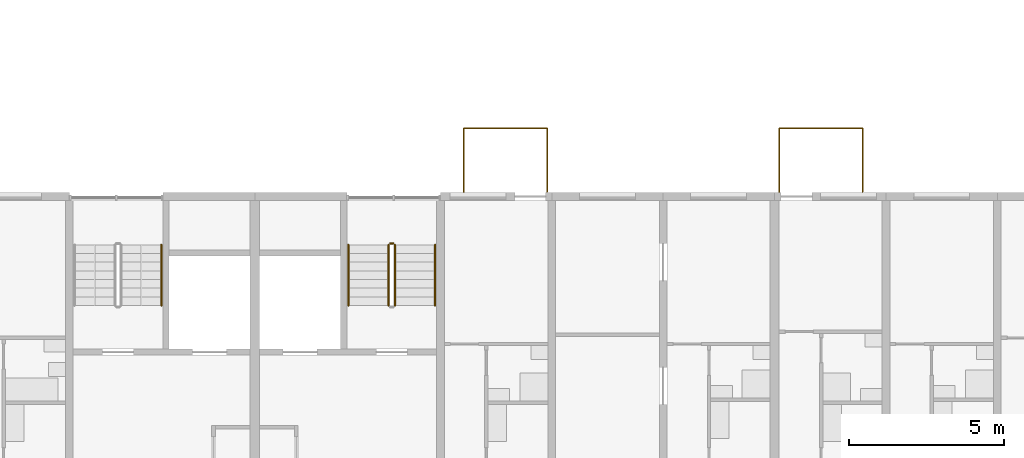
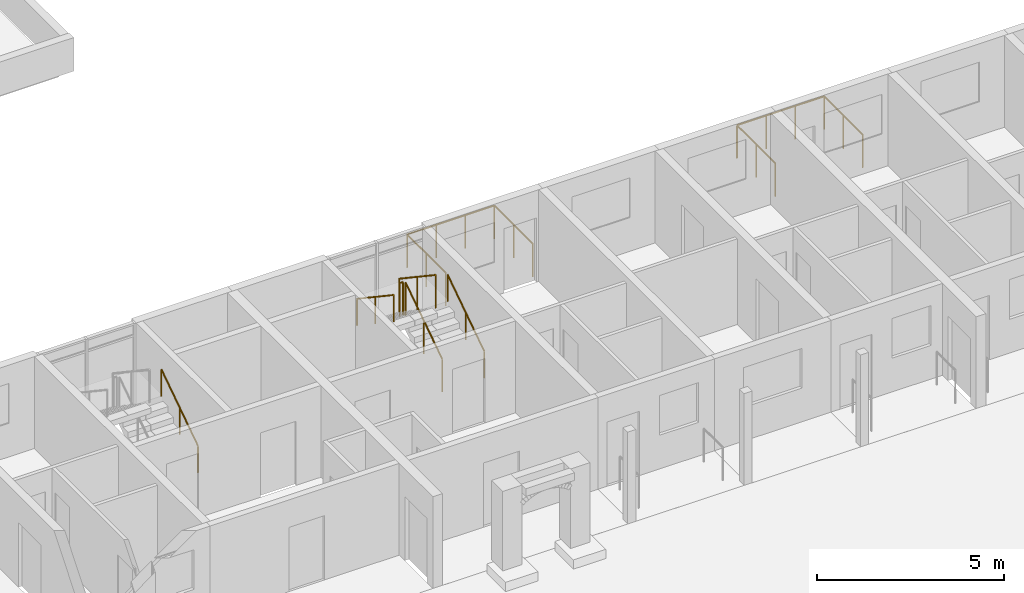
# One storey, part 105 of 115: 8 railings.
"""IFC4 building model written with IfcOpenShell, lengths in metres."""

from ifc_helpers import new_model, si_unit, direction, frame, origin, origin_2d, place, context, subcontext, project, spatial, circle, extrude, material, type_object, element, save


model = new_model("IFC4")

# Units and contexts
model_context = context("Model", 3, precision=1e-05, world=origin(), true_north=direction((0.0, 1.0)))
body_context = subcontext(model_context, "Body", "Model", "MODEL_VIEW")
ifc_project = project(units=[si_unit("LENGTHUNIT", "METRE"), si_unit("AREAUNIT", "SQUARE_METRE"), si_unit("VOLUMEUNIT", "CUBIC_METRE"), si_unit("PLANEANGLEUNIT", "RADIAN"), si_unit("MASSUNIT", "GRAM", prefix="KILO")], contexts=[model_context])

# Site, building, storey
site_placement = place(None, origin())
site = spatial("IfcSite", under=ifc_project, at=site_placement, CompositionType="ELEMENT")
building_placement = place(site_placement, origin())
building = spatial("IfcBuilding", under=site, at=building_placement, Name="Ridgestep Commons", CompositionType="ELEMENT")
storey_placement = place(building_placement, frame((0.0, 0.0, 6.0)))
storey = spatial("IfcBuildingStorey", under=building, at=storey_placement, Name="L02", CompositionType="ELEMENT", Elevation=6.0)

# Railings
ifc_material_1 = material(Name="Structural steel S355JR", Category="steel")
railing_type_1 = type_object("IfcRailingType", Name="Stair guard 1100", PredefinedType="GUARDRAIL", material=ifc_material_1)
railing_1_placement = place(storey_placement, frame((168.125, 19.35009765625, 0.1875)))
element("IfcRailing", 1, at=railing_1_placement, inside=storey, type_object=railing_type_1, Name="L02 D2C stair guard 1", PredefinedType="GUARDRAIL", context=body_context, shape_type="SweptSolid", body=[
    extrude(circle(Radius=0.02392578125, at=origin_2d()), frame((0.0, 0.0, 1.076171875), z_axis=(0.0, 0.830902050051, 0.556418712142), x_axis=(-1.0, 0.0, 0.0)), (0.0, 0.0, 1.0), 2.35888671875),
    extrude(circle(Radius=0.02099609375, at=origin_2d()), origin(), (0.0, 0.0, 1.0), 1.052001953125),
    extrude(circle(Radius=0.02099609375, at=origin_2d()), frame((0.0, 0.97998046875, 0.65625)), (0.0, 0.0, 1.0), 1.052001953125),
    extrude(circle(Radius=0.02099609375, at=origin_2d()), frame((0.0, 1.9599609375, 1.3125)), (0.0, 0.0, 1.0), 1.052001953125),
])
railing_2_placement = place(storey_placement, frame((168.074951171875, 21.360107421875, 1.5)))
element("IfcRailing", 2, at=railing_2_placement, inside=storey, type_object=railing_type_1, Name="L02 D2C stair guard 2", PredefinedType="GUARDRAIL", context=body_context, shape_type="SweptSolid", body=[
    extrude(circle(Radius=0.02392578125, at=origin_2d()), frame((0.0, 0.0, 1.076171875), z_axis=(-1.0, 0.0, 0.0), x_axis=(0.0, -1.0, 0.0)), (0.0, 0.0, 1.0), 0.099853515625),
    extrude(circle(Radius=0.02099609375, at=origin_2d()), origin(), (0.0, 0.0, 1.0), 1.052001953125),
    extrude(circle(Radius=0.02099609375, at=origin_2d()), frame((-0.099853515625, 0.0, 0.0)), (0.0, 0.0, 1.0), 1.052001953125),
])
railing_3_placement = place(storey_placement, frame((167.925048828125, 21.31005859375, 1.6875)))
element("IfcRailing", 3, at=railing_3_placement, inside=storey, type_object=railing_type_1, Name="L02 D2C stair guard 3", PredefinedType="GUARDRAIL", context=body_context, shape_type="SweptSolid", body=[
    extrude(circle(Radius=0.02392578125, at=origin_2d()), frame((0.0, 0.0, 1.076171875), z_axis=(0.0, -0.830902050051, 0.556418712142), x_axis=(1.0, 0.0, 0.0)), (0.0, 0.0, 1.0), 2.35888671875),
    extrude(circle(Radius=0.02099609375, at=origin_2d()), origin(), (0.0, 0.0, 1.0), 1.052001953125),
    extrude(circle(Radius=0.02099609375, at=origin_2d()), frame((0.0, -0.97998046875, 0.65625)), (0.0, 0.0, 1.0), 1.052001953125),
    extrude(circle(Radius=0.02099609375, at=origin_2d()), frame((0.0, -1.9599609375, 1.3125)), (0.0, 0.0, 1.0), 1.052001953125),
])
ifc_material_2 = material(Name="Structural steel S355JR", Category="steel")
railing_type_2 = type_object("IfcRailingType", Name="Stair handrail 900", PredefinedType="HANDRAIL", material=ifc_material_2)
for number, where, name in (
    (4, (160.574951171875, 19.35009765625, 0.1875), "L02 D1C stair handrail 1"),
    (5, (169.425048828125, 19.35009765625, 0.1875), "L02 D2C stair handrail 1"),
):
    element("IfcRailing", number, at=place(storey_placement, frame(where)), inside=storey, type_object=railing_type_2, Name=name, PredefinedType="HANDRAIL", context=body_context, shape_type="SweptSolid", body=[
        extrude(circle(Radius=0.02392578125, at=origin_2d()), frame((0.0, 0.0, 0.8759765625), z_axis=(0.0, 0.830902050051, 0.556418712142), x_axis=(-1.0, 0.0, 0.0)), (0.0, 0.0, 1.0), 2.35888671875),
        extrude(circle(Radius=0.02099609375, at=origin_2d()), origin(), (0.0, 0.0, 1.0), 0.851806640625),
        extrude(circle(Radius=0.02099609375, at=origin_2d()), frame((0.0, 0.97998046875, 0.65625)), (0.0, 0.0, 1.0), 0.851806640625),
        extrude(circle(Radius=0.02099609375, at=origin_2d()), frame((0.0, 1.9599609375, 1.3125)), (0.0, 0.0, 1.0), 0.851806640625),
    ])
railing_4_placement = place(storey_placement, frame((166.625, 21.31005859375, 1.6875)))
element("IfcRailing", 6, at=railing_4_placement, inside=storey, type_object=railing_type_2, Name="L02 D2C stair handrail 2", PredefinedType="HANDRAIL", context=body_context, shape_type="SweptSolid", body=[
    extrude(circle(Radius=0.02392578125, at=origin_2d()), frame((0.0, 0.0, 0.8759765625), z_axis=(0.0, -0.830902050051, 0.556418712142), x_axis=(1.0, 0.0, 0.0)), (0.0, 0.0, 1.0), 2.35888671875),
    extrude(circle(Radius=0.02099609375, at=origin_2d()), origin(), (0.0, 0.0, 1.0), 0.851806640625),
    extrude(circle(Radius=0.02099609375, at=origin_2d()), frame((0.0, -0.97998046875, 0.65625)), (0.0, 0.0, 1.0), 0.851806640625),
    extrude(circle(Radius=0.02099609375, at=origin_2d()), frame((0.0, -1.9599609375, 1.3125)), (0.0, 0.0, 1.0), 0.851806640625),
])
ifc_material_3 = material(Name="Weathering steel S355J2W", Category="steel")
railing_type_3 = type_object("IfcRailingType", Name="Tray guard 1100", PredefinedType="GUARDRAIL", material=ifc_material_3)
for number, where, name in (
    (7, (180.551025390625, 23.02099609375, 0.0), "Tray guard D3T1-02"),
    (8, (170.35107421875, 23.02099609375, 0.0), "Tray guard D2T3-02"),
):
    element("IfcRailing", number, at=place(storey_placement, frame(where)), inside=storey, type_object=railing_type_3, Name=name, PredefinedType="GUARDRAIL", context=body_context, shape_type="SweptSolid", body=[
        extrude(circle(Radius=0.02392578125, at=origin_2d()), frame((0.0, 0.0, 1.076171875), z_axis=(0.0, 1.0, 0.0), x_axis=(-1.0, 0.0, 0.0)), (0.0, 0.0, 1.0), 2.05810546875),
        extrude(circle(Radius=0.02392578125, at=origin_2d()), frame((0.0, 2.05810546875, 1.076171875), z_axis=(1.0, 0.0, 0.0), x_axis=(0.0, 1.0, 0.0)), (0.0, 0.0, 1.0), 2.697998046875),
        extrude(circle(Radius=0.02392578125, at=origin_2d()), frame((2.697998046875, 2.05810546875, 1.076171875), z_axis=(0.0, -1.0, 0.0), x_axis=(1.0, 0.0, 0.0)), (0.0, 0.0, 1.0), 2.05810546875),
        extrude(circle(Radius=0.02099609375, at=origin_2d()), origin(), (0.0, 0.0, 1.0), 1.052001953125),
        extrude(circle(Radius=0.02099609375, at=origin_2d()), frame((0.0, 1.029052734375, 0.0)), (0.0, 0.0, 1.0), 1.052001953125),
        extrude(circle(Radius=0.02099609375, at=origin_2d()), frame((0.0, 2.05810546875, 0.0)), (0.0, 0.0, 1.0), 1.052001953125),
        extrude(circle(Radius=0.02099609375, at=origin_2d()), frame((0.8994140625, 2.05810546875, 0.0)), (0.0, 0.0, 1.0), 1.052001953125),
        extrude(circle(Radius=0.02099609375, at=origin_2d()), frame((1.798583984375, 2.05810546875, 0.0)), (0.0, 0.0, 1.0), 1.052001953125),
        extrude(circle(Radius=0.02099609375, at=origin_2d()), frame((2.697998046875, 2.05810546875, 0.0)), (0.0, 0.0, 1.0), 1.052001953125),
        extrude(circle(Radius=0.02099609375, at=origin_2d()), frame((2.697998046875, 1.029052734375, 0.0)), (0.0, 0.0, 1.0), 1.052001953125),
        extrude(circle(Radius=0.02099609375, at=origin_2d()), frame((2.697998046875, 0.0, 0.0)), (0.0, 0.0, 1.0), 1.052001953125),
    ])

save(model, "model.ifc")
